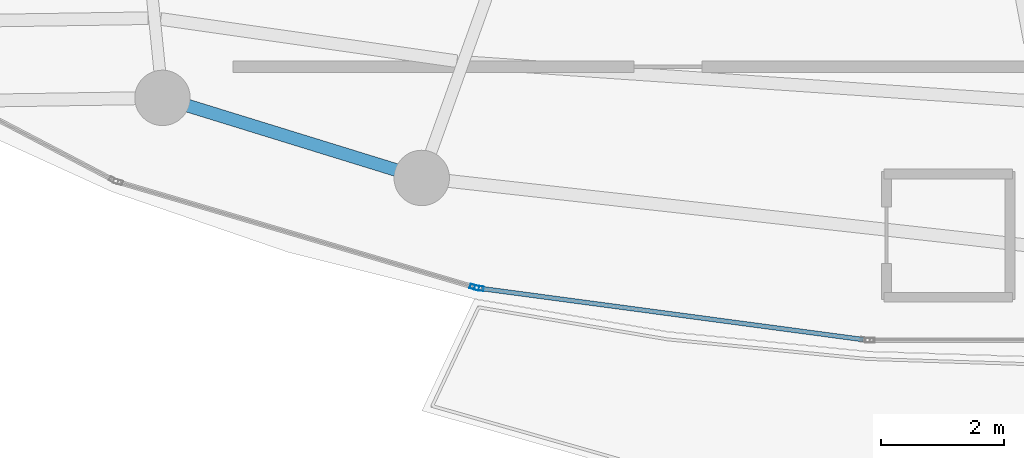
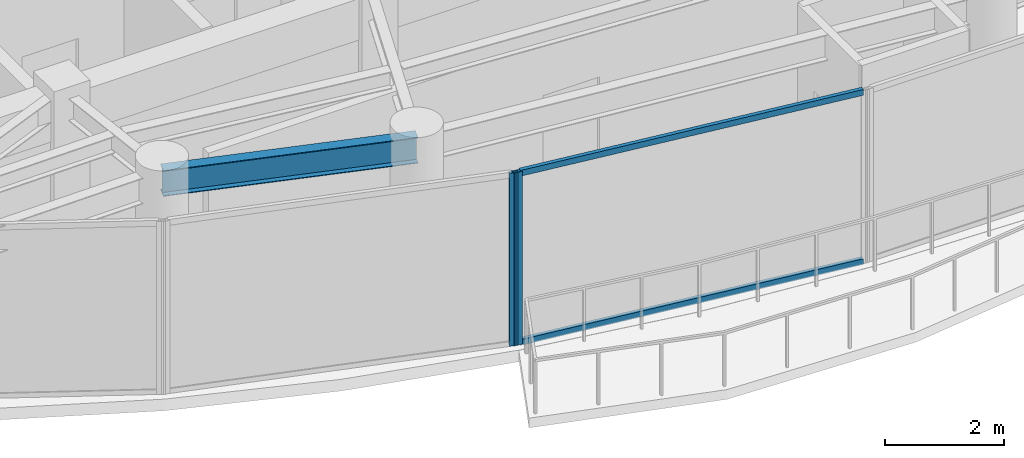
# One storey, part 5 of 29: 4 members, 1 beam, 2 elements without a shape of their own.
"""IFC4 building model written with IfcOpenShell, lengths in metres."""

from ifc_helpers import new_model, si_unit, direction, frame, origin, origin_2d, place, context, subcontext, project, spatial, hollow_rectangle, i_section, extrude, material, layer, layer_set, material_profile, profile_set, type_object, element, aggregate, save


model = new_model("IFC4")

# Units and contexts
model_context = context("Model", 3, precision=1e-05, world=origin(), true_north=direction((0.0, 1.0)))
body_context = subcontext(model_context, "Body", "Model", "MODEL_VIEW")
ifc_project = project(units=[si_unit("LENGTHUNIT", "METRE"), si_unit("AREAUNIT", "SQUARE_METRE"), si_unit("VOLUMEUNIT", "CUBIC_METRE"), si_unit("PLANEANGLEUNIT", "RADIAN"), si_unit("MASSUNIT", "GRAM", prefix="KILO")], contexts=[model_context])

# Site, building, storey
site_placement = place(None, origin())
site = spatial("IfcSite", under=ifc_project, at=site_placement, CompositionType="ELEMENT")
building_placement = place(site_placement, origin())
building = spatial("IfcBuilding", under=site, at=building_placement, Name="Kazevale Care Tower and Concert Hall", CompositionType="ELEMENT")
storey_placement = place(building_placement, frame((0.0, 0.0, 262.39990234375)))
storey = spatial("IfcBuildingStorey", under=building, at=storey_placement, Name="L69", CompositionType="ELEMENT", Elevation=262.39990234375)

# Curtain wall, member
ifc_material_1 = material(Name="Aluminium 6063-T6 and Low-E Glass", Category="aluminium")
ifc_layer = layer(ifc_material_1, 0.179931640625)
ifc_layer_set = layer_set([ifc_layer], Name="Aluminium 6063-T6 and Low-E Glass")
curtain_wall_type = type_object("IfcCurtainWallType", Name="Sheltered Concave Balcony Curtain Wall CW-5", PredefinedType="NOTDEFINED", material=ifc_layer_set)
curtain_wall_1_placement = place(storey_placement, origin())
curtain_wall_1 = element("IfcCurtainWall", 1, at=curtain_wall_1_placement, inside=storey, type_object=curtain_wall_type, Name="cw:L69:f07", PredefinedType="NOTDEFINED")
ifc_material_2 = material(Name="Aluminium 6063-T6", Category="aluminium")
ifc_material_profile_1 = material_profile(ifc_material_2, hollow_rectangle(XDim=0.074951171875, YDim=0.14990234375, WallThickness=0.00390625, at=origin_2d()), Name="ALU75x150x4")
ifc_profile_set_1 = profile_set([ifc_material_profile_1], Name="Aluminium 6063-T6")
member_type_1 = type_object("IfcMemberType", Name="CW-5 Mullion ALU75x150x4", PredefinedType="MULLION", material=ifc_profile_set_1)
member_1_placement = place(storey_placement, frame((35.43017578125, 17.629150390625, 0.0), z_axis=(0.0, 0.0, 1.0), x_axis=(-0.132542069018, -0.991177380664, 0.0)))
member_1 = element("IfcMember", 2, at=member_1_placement, type_object=member_type_1, Name="CW-5 mullion 2", PredefinedType="MULLION", context=body_context, shape_type="SweptSolid", body=[
    extrude(hollow_rectangle(XDim=0.074951171875, YDim=0.14990234375, WallThickness=0.00390625, at=origin_2d()), origin(), (0.0, 0.0, 1.0), 3.56005859375),
])

curtain_wall_2_placement = place(storey_placement, origin())
curtain_wall_2 = element("IfcCurtainWall", 3, at=curtain_wall_2_placement, inside=storey, type_object=curtain_wall_type, Name="cw:L69:f08", PredefinedType="NOTDEFINED")
member_2_placement = place(storey_placement, frame((35.35693359375, 17.64453125, 0.0), z_axis=(0.0, 0.0, 1.0), x_axis=(-0.283202506274, -0.959060133902, 0.0)))
member_2 = element("IfcMember", 4, at=member_2_placement, type_object=member_type_1, Name="CW-5 mullion 1", PredefinedType="MULLION", context=body_context, shape_type="SweptSolid", body=[
    extrude(hollow_rectangle(XDim=0.074951171875, YDim=0.14990234375, WallThickness=0.00390625, at=origin_2d()), origin(), (0.0, 0.0, 1.0), 3.56005859375),
])
aggregate(curtain_wall_2, [member_2])

# Member
ifc_material_profile_2 = material_profile(ifc_material_2, hollow_rectangle(XDim=0.074951171875, YDim=0.1201171875, WallThickness=0.00390625, at=origin_2d()), Name="ALU75x120x4")
ifc_profile_set_2 = profile_set([ifc_material_profile_2], Name="Aluminium 6063-T6")
member_type_2 = type_object("IfcMemberType", Name="CW-5 Transom ALU75x120x4", PredefinedType="USERDEFINED", material=ifc_profile_set_2)
member_3_placement = place(storey_placement, frame((41.667724609375, 16.794921875, 0.03759765625), z_axis=(-0.991178066261, 0.132536941884, 0.0), x_axis=(-0.132536941884, -0.991178066261, 0.0)))
member_3 = element("IfcMember", 5, at=member_3_placement, type_object=member_type_2, Name="CW-5 transom 1.1", ObjectType="TRANSOM", PredefinedType="USERDEFINED", context=body_context, shape_type="SweptSolid", body=[
    extrude(hollow_rectangle(XDim=0.074951171875, YDim=0.1201171875, WallThickness=0.00390625, at=origin_2d()), origin(), (0.0, 0.0, 1.0), 6.255615234375),
])

member_4_placement = place(storey_placement, frame((41.667724609375, 16.794921875, 3.522705078125), z_axis=(-0.991178066261, 0.132536941884, 0.0), x_axis=(-0.132536941884, -0.991178066261, 0.0)))
member_4 = element("IfcMember", 6, at=member_4_placement, type_object=member_type_2, Name="CW-5 transom 1.2", ObjectType="TRANSOM", PredefinedType="USERDEFINED", context=body_context, shape_type="SweptSolid", body=[
    extrude(hollow_rectangle(XDim=0.074951171875, YDim=0.1201171875, WallThickness=0.00390625, at=origin_2d()), origin(), (0.0, 0.0, 1.0), 6.255615234375),
])

aggregate(curtain_wall_1, [member_1, member_3, member_4])

# Beam
ifc_material_3 = material(Name="Steel ASTM A572 Gr 50", Category="steel")
ifc_material_profile_3 = material_profile(ifc_material_3, i_section(OverallWidth=0.208984375, OverallDepth=0.532958984375, WebThickness=0.01025390625, FlangeThickness=0.015625, at=origin_2d()), Name="W530x92")
ifc_profile_set_3 = profile_set([ifc_material_profile_3], Name="Steel ASTM A572 Gr 50")
beam_type = type_object("IfcBeamType", Name="Upper Ring Beam W530x92", PredefinedType="BEAM", material=ifc_profile_set_3)
beam_placement = place(storey_placement, frame((30.2900390625, 20.719970703125, 3.293701171875), z_axis=(0.955480204609, -0.295055212801, 0.0), x_axis=(0.295055212801, 0.955480204609, 0.0)))
element("IfcBeam", 7, at=beam_placement, inside=storey, type_object=beam_type, Name="beam:L69:ring:11", PredefinedType="BEAM", context=body_context, shape_type="SweptSolid", body=[
    extrude(i_section(OverallWidth=0.208984375, OverallDepth=0.532958984375, WebThickness=0.01025390625, FlangeThickness=0.015625, at=origin_2d()), origin(), (0.0, 0.0, 1.0), 4.406005859375),
])

save(model, "model.ifc")
